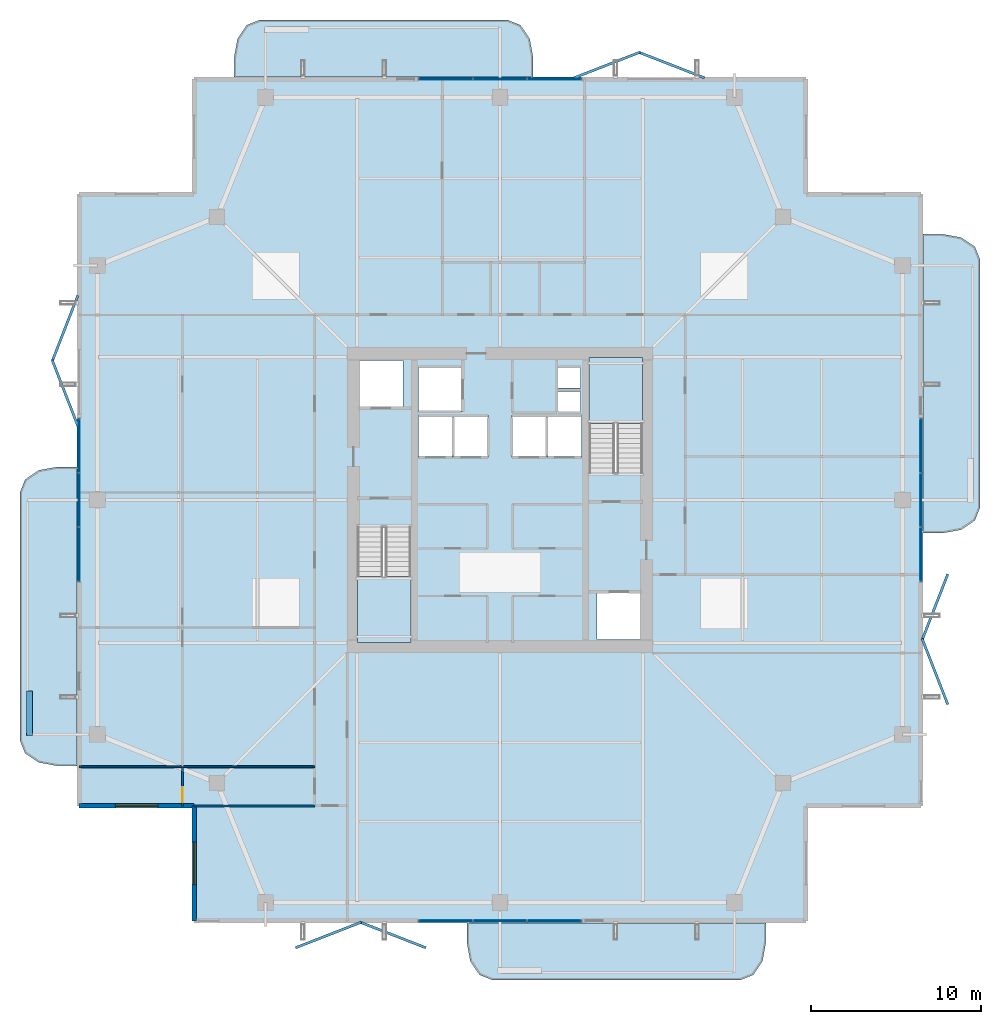
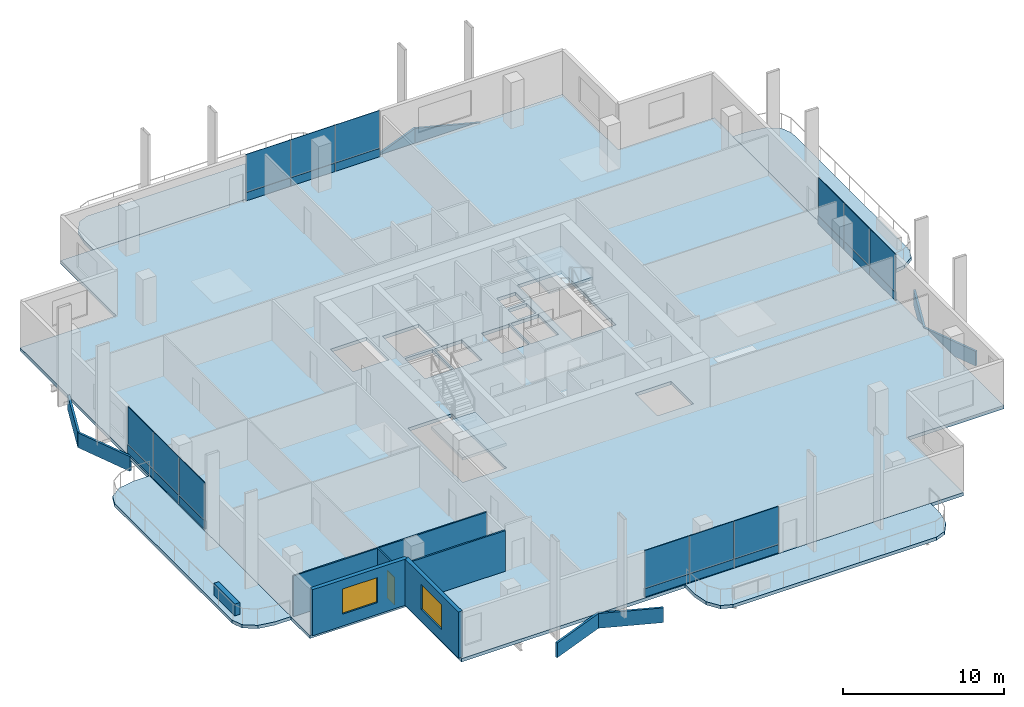
# One storey, part 17 of 25: 32 plates, 7 slabs, 6 walls, 2 windows, 1 door, 3 openings, 6 elements without a shape of their own.
"""IFC4 building model written with IfcOpenShell, lengths in metres."""

from ifc_helpers import new_model, si_unit, direction, frame, frame_2d, origin, origin_2d, place, context, subcontext, project, spatial, polyline, rectangle, outline, extrude, material, layer, layer_set, type_object, element, fill, aggregate, save


model = new_model("IFC4")

# Units and contexts
model_context = context("Model", 3, precision=1e-05, world=origin(), true_north=direction((0.0, 1.0)))
body_context = subcontext(model_context, "Body", "Model", "MODEL_VIEW")
ifc_project = project(units=[si_unit("LENGTHUNIT", "METRE"), si_unit("AREAUNIT", "SQUARE_METRE"), si_unit("VOLUMEUNIT", "CUBIC_METRE"), si_unit("PLANEANGLEUNIT", "RADIAN"), si_unit("MASSUNIT", "GRAM", prefix="KILO")], contexts=[model_context])

# Site, building, storey
site_placement = place(None, origin())
site = spatial("IfcSite", under=ifc_project, at=site_placement, CompositionType="ELEMENT")
building_placement = place(site_placement, origin())
building = spatial("IfcBuilding", under=site, at=building_placement, Name="Belovzor Exchange Tower", CompositionType="ELEMENT")
storey_placement = place(building_placement, frame((0.0, 0.0, 272.85009765625)))
storey = spatial("IfcBuildingStorey", under=building, at=storey_placement, Name="L68", CompositionType="ELEMENT", Elevation=272.85009765625)

# Slab
ifc_material_1 = material(Name="Concrete C40/50", Category="concrete")
ifc_layer_1 = layer(ifc_material_1, 0.25)
ifc_layer_set_1 = layer_set([ifc_layer_1], Name="Concrete C40/50")
slab_type_1 = type_object("IfcSlabType", Name="Composite Concrete Floor Deck Slab 250", PredefinedType="FLOOR", material=ifc_layer_set_1)
slab_1_placement = place(storey_placement, frame((0.0, 0.0, -0.25)))
element("IfcSlab", 1, at=slab_1_placement, inside=storey, type_object=slab_type_1, Name="SL-F250 Structural Slab L68", PredefinedType="FLOOR", context=body_context, shape_type="SweptSolid", body=[
    extrude(outline(polyline([(10.800048828125, 3.89990234375), (46.800048828125, 3.89990234375), (46.800048828125, 10.800048828125), (53.699951171875, 10.800048828125), (53.699951171875, 46.800048828125), (46.800048828125, 46.800048828125), (46.800048828125, 53.699951171875), (10.800048828125, 53.699951171875), (10.800048828125, 46.800048828125), (3.89990234375, 46.800048828125), (3.89990234375, 10.800048828125), (10.800048828125, 10.800048828125), (10.800048828125, 3.89990234375)]), holes=[polyline([(20.39990234375, 27.175048828125), (20.39990234375, 20.39990234375), (23.550048828125, 20.39990234375), (23.550048828125, 27.175048828125), (20.39990234375, 27.175048828125)]), polyline([(37.199951171875, 30.425048828125), (37.199951171875, 37.199951171875), (34.050048828125, 37.199951171875), (34.050048828125, 30.425048828125), (37.199951171875, 30.425048828125)]), polyline([(20.5, 34.199951171875), (23.10009765625, 34.199951171875), (23.10009765625, 37.0), (20.5, 37.0), (20.5, 34.199951171875)]), polyline([(34.5, 20.60009765625), (37.10009765625, 20.60009765625), (37.10009765625, 23.39990234375), (34.5, 23.39990234375), (34.5, 20.60009765625)]), polyline([(24.0, 34.0), (26.60009765625, 34.0), (26.60009765625, 36.60009765625), (24.0, 36.60009765625), (24.0, 34.0)]), polyline([(24.0, 31.300048828125), (26.0, 31.300048828125), (26.0, 33.800048828125), (24.0, 33.800048828125), (24.0, 31.300048828125)]), polyline([(26.10009765625, 31.300048828125), (28.10009765625, 31.300048828125), (28.10009765625, 33.800048828125), (26.10009765625, 33.800048828125), (26.10009765625, 31.300048828125)]), polyline([(29.5, 31.300048828125), (31.5, 31.300048828125), (31.5, 33.800048828125), (29.5, 33.800048828125), (29.5, 31.300048828125)]), polyline([(31.60009765625, 31.300048828125), (33.60009765625, 31.300048828125), (33.60009765625, 33.800048828125), (31.60009765625, 33.800048828125), (31.60009765625, 31.300048828125)]), polyline([(32.199951171875, 34.0), (33.550048828125, 34.0), (33.550048828125, 35.199951171875), (32.199951171875, 35.199951171875), (32.199951171875, 34.0)]), polyline([(32.199951171875, 35.39990234375), (33.550048828125, 35.39990234375), (33.550048828125, 36.60009765625), (32.199951171875, 36.60009765625), (32.199951171875, 35.39990234375)])]), origin(), (0.0, 0.0, 1.0), 0.25),
])

# Curtain wall, plates
ifc_material_2 = material(Name="Anodised Aluminium Framing", Category="aluminium")
ifc_layer_2 = layer(ifc_material_2, 0.179931640625)
ifc_layer_set_2 = layer_set([ifc_layer_2], Name="Anodised Aluminium Framing")
curtain_wall_type = type_object("IfcCurtainWallType", Name="Recessed Loggia Low-Iron Triple-Glazed Curtain Wall", PredefinedType="NOTDEFINED", material=ifc_layer_set_2)
curtain_wall_1_placement = place(storey_placement, origin())
curtain_wall_1 = element("IfcCurtainWall", 2, at=curtain_wall_1_placement, inside=storey, type_object=curtain_wall_type, Name="CW3 Recessed Loggia Low-Iron Triple-Glazed Curtain Wall L68", PredefinedType="NOTDEFINED")
ifc_material_3 = material(Name="Solar-Control Triple Glazing", Category="glass")
ifc_layer_3 = layer(ifc_material_3, 0.0439453125)
ifc_layer_set_3 = layer_set([ifc_layer_3], Name="Solar-Control Triple Glazing")
plate_type_1 = type_object("IfcPlateType", Name="Insulated Solar Glazing Curtain Panel 44", PredefinedType="CURTAIN_PANEL", material=ifc_layer_set_3)
plate_1_placement = place(storey_placement, frame((32.0, 4.030029296875, 0.6318359375), z_axis=(0.0, 0.0, 1.0), x_axis=(-1.0, 0.0, 0.0)))
plate_1 = element("IfcPlate", 3, at=plate_1_placement, type_object=plate_type_1, Name="GLZ-44 Glazed Curtain Panel 1", PredefinedType="CURTAIN_PANEL", context=body_context, shape_type="SweptSolid", body=[
    extrude(rectangle(XDim=3.18408203125, YDim=0.0439453125, at=origin_2d()), origin(), (0.0, 0.0, 1.0), 2.867919921875),
])
plate_2_placement = place(storey_placement, frame((28.800048828125, 4.030029296875, 0.6318359375), z_axis=(0.0, 0.0, 1.0), x_axis=(-1.0, 0.0, 0.0)))
plate_2 = element("IfcPlate", 4, at=plate_2_placement, type_object=plate_type_1, Name="GLZ-44 Glazed Curtain Panel 2", PredefinedType="CURTAIN_PANEL", context=body_context, shape_type="SweptSolid", body=[
    extrude(rectangle(XDim=3.18408203125, YDim=0.0439453125, at=origin_2d()), origin(), (0.0, 0.0, 1.0), 2.867919921875),
])
plate_3_placement = place(storey_placement, frame((25.60009765625, 4.030029296875, 0.6318359375), z_axis=(0.0, 0.0, 1.0), x_axis=(-1.0, 0.0, 0.0)))
plate_3 = element("IfcPlate", 5, at=plate_3_placement, type_object=plate_type_1, Name="GLZ-44 Glazed Curtain Panel 3", PredefinedType="CURTAIN_PANEL", context=body_context, shape_type="SweptSolid", body=[
    extrude(rectangle(XDim=3.18408203125, YDim=0.0439453125, at=origin_2d()), origin(), (0.0, 0.0, 1.0), 2.867919921875),
])

curtain_wall_2_placement = place(storey_placement, origin())
curtain_wall_2 = element("IfcCurtainWall", 6, at=curtain_wall_2_placement, inside=storey, type_object=curtain_wall_type, Name="CW3 Recessed Loggia Low-Iron Triple-Glazed Curtain Wall L68", PredefinedType="NOTDEFINED")
plate_4_placement = place(storey_placement, frame((25.60009765625, 53.570068359375, 0.6318359375), z_axis=(0.0, 0.0, 1.0), x_axis=(1.0, 0.0, 0.0)))
plate_4 = element("IfcPlate", 7, at=plate_4_placement, type_object=plate_type_1, Name="GLZ-44 Glazed Curtain Panel 1", PredefinedType="CURTAIN_PANEL", context=body_context, shape_type="SweptSolid", body=[
    extrude(rectangle(XDim=3.18408203125, YDim=0.0439453125, at=origin_2d()), origin(), (0.0, 0.0, 1.0), 2.867919921875),
])
plate_5_placement = place(storey_placement, frame((28.800048828125, 53.570068359375, 0.6318359375), z_axis=(0.0, 0.0, 1.0), x_axis=(1.0, 0.0, 0.0)))
plate_5 = element("IfcPlate", 8, at=plate_5_placement, type_object=plate_type_1, Name="GLZ-44 Glazed Curtain Panel 2", PredefinedType="CURTAIN_PANEL", context=body_context, shape_type="SweptSolid", body=[
    extrude(rectangle(XDim=3.18408203125, YDim=0.0439453125, at=origin_2d()), origin(), (0.0, 0.0, 1.0), 2.867919921875),
])
plate_6_placement = place(storey_placement, frame((32.0, 53.570068359375, 0.6318359375), z_axis=(0.0, 0.0, 1.0), x_axis=(1.0, 0.0, 0.0)))
plate_6 = element("IfcPlate", 9, at=plate_6_placement, type_object=plate_type_1, Name="GLZ-44 Glazed Curtain Panel 3", PredefinedType="CURTAIN_PANEL", context=body_context, shape_type="SweptSolid", body=[
    extrude(rectangle(XDim=3.18408203125, YDim=0.0439453125, at=origin_2d()), origin(), (0.0, 0.0, 1.0), 2.867919921875),
])

curtain_wall_3_placement = place(storey_placement, origin())
curtain_wall_3 = element("IfcCurtainWall", 10, at=curtain_wall_3_placement, inside=storey, type_object=curtain_wall_type, Name="CW3 Recessed Loggia Low-Iron Triple-Glazed Curtain Wall L68", PredefinedType="NOTDEFINED")
plate_7_placement = place(storey_placement, frame((4.030029296875, 25.60009765625, 0.6318359375), z_axis=(0.0, 0.0, 1.0), x_axis=(0.0, 1.0, 0.0)))
plate_7 = element("IfcPlate", 11, at=plate_7_placement, type_object=plate_type_1, Name="GLZ-44 Glazed Curtain Panel 1", PredefinedType="CURTAIN_PANEL", context=body_context, shape_type="SweptSolid", body=[
    extrude(rectangle(XDim=3.18408203125, YDim=0.0439453125, at=origin_2d()), origin(), (0.0, 0.0, 1.0), 2.867919921875),
])
plate_8_placement = place(storey_placement, frame((4.030029296875, 28.800048828125, 0.6318359375), z_axis=(0.0, 0.0, 1.0), x_axis=(0.0, 1.0, 0.0)))
plate_8 = element("IfcPlate", 12, at=plate_8_placement, type_object=plate_type_1, Name="GLZ-44 Glazed Curtain Panel 2", PredefinedType="CURTAIN_PANEL", context=body_context, shape_type="SweptSolid", body=[
    extrude(rectangle(XDim=3.18408203125, YDim=0.0439453125, at=origin_2d()), origin(), (0.0, 0.0, 1.0), 2.867919921875),
])
plate_9_placement = place(storey_placement, frame((4.030029296875, 32.0, 0.6318359375), z_axis=(0.0, 0.0, 1.0), x_axis=(0.0, 1.0, 0.0)))
plate_9 = element("IfcPlate", 13, at=plate_9_placement, type_object=plate_type_1, Name="GLZ-44 Glazed Curtain Panel 3", PredefinedType="CURTAIN_PANEL", context=body_context, shape_type="SweptSolid", body=[
    extrude(rectangle(XDim=3.18408203125, YDim=0.0439453125, at=origin_2d()), origin(), (0.0, 0.0, 1.0), 2.867919921875),
])

curtain_wall_4_placement = place(storey_placement, origin())
curtain_wall_4 = element("IfcCurtainWall", 14, at=curtain_wall_4_placement, inside=storey, type_object=curtain_wall_type, Name="CW3 Recessed Loggia Low-Iron Triple-Glazed Curtain Wall L68", PredefinedType="NOTDEFINED")
plate_10_placement = place(storey_placement, frame((53.570068359375, 32.0, 0.6318359375), z_axis=(0.0, 0.0, 1.0), x_axis=(0.0, -1.0, 0.0)))
plate_10 = element("IfcPlate", 15, at=plate_10_placement, type_object=plate_type_1, Name="GLZ-44 Glazed Curtain Panel 1", PredefinedType="CURTAIN_PANEL", context=body_context, shape_type="SweptSolid", body=[
    extrude(rectangle(XDim=3.18408203125, YDim=0.0439453125, at=origin_2d()), origin(), (0.0, 0.0, 1.0), 2.867919921875),
])
plate_11_placement = place(storey_placement, frame((53.570068359375, 28.800048828125, 0.6318359375), z_axis=(0.0, 0.0, 1.0), x_axis=(0.0, -1.0, 0.0)))
plate_11 = element("IfcPlate", 16, at=plate_11_placement, type_object=plate_type_1, Name="GLZ-44 Glazed Curtain Panel 2", PredefinedType="CURTAIN_PANEL", context=body_context, shape_type="SweptSolid", body=[
    extrude(rectangle(XDim=3.18408203125, YDim=0.0439453125, at=origin_2d()), origin(), (0.0, 0.0, 1.0), 2.867919921875),
])
plate_12_placement = place(storey_placement, frame((53.570068359375, 25.60009765625, 0.6318359375), z_axis=(0.0, 0.0, 1.0), x_axis=(0.0, -1.0, 0.0)))
plate_12 = element("IfcPlate", 17, at=plate_12_placement, type_object=plate_type_1, Name="GLZ-44 Glazed Curtain Panel 3", PredefinedType="CURTAIN_PANEL", context=body_context, shape_type="SweptSolid", body=[
    extrude(rectangle(XDim=3.18408203125, YDim=0.0439453125, at=origin_2d()), origin(), (0.0, 0.0, 1.0), 2.867919921875),
])

# Stair, slab
ifc_material_4 = material(Name="Concrete C40/50", Category="concrete")
stair_type = type_object("IfcStairType", Name="Reinforced Concrete Dogleg Escape Stair 1350", PredefinedType="HALF_TURN_STAIR", material=ifc_material_4)
stair_1_placement = place(storey_placement, origin())
stair_1 = element("IfcStair", 18, at=stair_1_placement, inside=storey, type_object=stair_type, Name="L68 ST-1", PredefinedType="HALF_TURN_STAIR")
ifc_material_5 = material(Name="Concrete C40/50", Category="concrete")
ifc_layer_4 = layer(ifc_material_5, 0.199951171875)
ifc_layer_set_4 = layer_set([ifc_layer_4], Name="Concrete C40/50")
slab_type_2 = type_object("IfcSlabType", Name="Reinforced Concrete Stair Half-Landing Slab 200", PredefinedType="LANDING", material=ifc_layer_set_4)
slab_2_placement = place(storey_placement, frame((0.0, 0.0, 1.6748046875)))
slab_2 = element("IfcSlab", 19, at=slab_2_placement, type_object=slab_type_2, Name="ST-1 landing 1", PredefinedType="LANDING", context=body_context, shape_type="SweptSolid", body=[
    extrude(outline(polyline([(20.39990234375, 24.300048828125), (20.39990234375, 20.39990234375), (23.550048828125, 20.39990234375), (23.550048828125, 24.300048828125), (20.39990234375, 24.300048828125)])), origin(), (0.0, 0.0, 1.0), 0.2001953125),
])
aggregate(stair_1, [slab_2])

stair_2_placement = place(storey_placement, origin())
stair_2 = element("IfcStair", 20, at=stair_2_placement, inside=storey, type_object=stair_type, Name="L68 ST-2", PredefinedType="HALF_TURN_STAIR")
slab_3_placement = place(storey_placement, frame((0.0, 0.0, 1.6748046875)))
slab_3 = element("IfcSlab", 21, at=slab_3_placement, type_object=slab_type_2, Name="ST-2 landing 1", PredefinedType="LANDING", context=body_context, shape_type="SweptSolid", body=[
    extrude(outline(polyline([(37.199951171875, 33.300048828125), (37.199951171875, 37.199951171875), (34.050048828125, 37.199951171875), (34.050048828125, 33.300048828125), (37.199951171875, 33.300048828125)])), origin(), (0.0, 0.0, 1.0), 0.2001953125),
])
aggregate(stair_2, [slab_3])

# Plate
ifc_material_6 = material(Name="Extruded Architectural Terracotta", Category="masonry")
ifc_layer_5 = layer(ifc_material_6, 0.090087890625)
ifc_layer_set_5 = layer_set([ifc_layer_5], Name="Extruded Architectural Terracotta")
plate_type_2 = type_object("IfcPlateType", Name="Terracotta Shadow-Box Spandrel Panel 90", PredefinedType="CURTAIN_PANEL", material=ifc_layer_set_5)
plate_13_placement = place(storey_placement, frame((32.0, 4.030029296875, 0.0), z_axis=(0.0, 0.0, 1.0), x_axis=(-1.0, 0.0, 0.0)))
plate_13 = element("IfcPlate", 22, at=plate_13_placement, type_object=plate_type_2, Name="SPD-90 Spandrel Panel 1", PredefinedType="CURTAIN_PANEL", context=body_context, shape_type="SweptSolid", body=[
    extrude(rectangle(XDim=3.18408203125, YDim=0.090087890625, at=origin_2d()), origin(), (0.0, 0.0, 1.0), 0.6279296875),
])

plate_14_placement = place(storey_placement, frame((28.800048828125, 4.030029296875, 0.0), z_axis=(0.0, 0.0, 1.0), x_axis=(-1.0, 0.0, 0.0)))
plate_14 = element("IfcPlate", 23, at=plate_14_placement, type_object=plate_type_2, Name="SPD-90 Spandrel Panel 2", PredefinedType="CURTAIN_PANEL", context=body_context, shape_type="SweptSolid", body=[
    extrude(rectangle(XDim=3.18408203125, YDim=0.090087890625, at=origin_2d()), origin(), (0.0, 0.0, 1.0), 0.6279296875),
])

plate_15_placement = place(storey_placement, frame((25.60009765625, 4.030029296875, 0.0), z_axis=(0.0, 0.0, 1.0), x_axis=(-1.0, 0.0, 0.0)))
plate_15 = element("IfcPlate", 24, at=plate_15_placement, type_object=plate_type_2, Name="SPD-90 Spandrel Panel 3", PredefinedType="CURTAIN_PANEL", context=body_context, shape_type="SweptSolid", body=[
    extrude(rectangle(XDim=3.18408203125, YDim=0.090087890625, at=origin_2d()), origin(), (0.0, 0.0, 1.0), 0.6279296875),
])

aggregate(curtain_wall_1, [plate_13, plate_1, plate_14, plate_2, plate_15, plate_3])

plate_16_placement = place(storey_placement, frame((25.60009765625, 53.570068359375, 0.0), z_axis=(0.0, 0.0, 1.0), x_axis=(1.0, 0.0, 0.0)))
plate_16 = element("IfcPlate", 25, at=plate_16_placement, type_object=plate_type_2, Name="SPD-90 Spandrel Panel 1", PredefinedType="CURTAIN_PANEL", context=body_context, shape_type="SweptSolid", body=[
    extrude(rectangle(XDim=3.18408203125, YDim=0.090087890625, at=origin_2d()), origin(), (0.0, 0.0, 1.0), 0.6279296875),
])

plate_17_placement = place(storey_placement, frame((28.800048828125, 53.570068359375, 0.0), z_axis=(0.0, 0.0, 1.0), x_axis=(1.0, 0.0, 0.0)))
plate_17 = element("IfcPlate", 26, at=plate_17_placement, type_object=plate_type_2, Name="SPD-90 Spandrel Panel 2", PredefinedType="CURTAIN_PANEL", context=body_context, shape_type="SweptSolid", body=[
    extrude(rectangle(XDim=3.18408203125, YDim=0.090087890625, at=origin_2d()), origin(), (0.0, 0.0, 1.0), 0.6279296875),
])

plate_18_placement = place(storey_placement, frame((32.0, 53.570068359375, 0.0), z_axis=(0.0, 0.0, 1.0), x_axis=(1.0, 0.0, 0.0)))
plate_18 = element("IfcPlate", 27, at=plate_18_placement, type_object=plate_type_2, Name="SPD-90 Spandrel Panel 3", PredefinedType="CURTAIN_PANEL", context=body_context, shape_type="SweptSolid", body=[
    extrude(rectangle(XDim=3.18408203125, YDim=0.090087890625, at=origin_2d()), origin(), (0.0, 0.0, 1.0), 0.6279296875),
])

aggregate(curtain_wall_2, [plate_16, plate_4, plate_17, plate_5, plate_18, plate_6])

plate_19_placement = place(storey_placement, frame((4.030029296875, 25.60009765625, 0.0), z_axis=(0.0, 0.0, 1.0), x_axis=(0.0, 1.0, 0.0)))
plate_19 = element("IfcPlate", 28, at=plate_19_placement, type_object=plate_type_2, Name="SPD-90 Spandrel Panel 1", PredefinedType="CURTAIN_PANEL", context=body_context, shape_type="SweptSolid", body=[
    extrude(rectangle(XDim=3.18408203125, YDim=0.090087890625, at=origin_2d()), origin(), (0.0, 0.0, 1.0), 0.6279296875),
])

plate_20_placement = place(storey_placement, frame((4.030029296875, 28.800048828125, 0.0), z_axis=(0.0, 0.0, 1.0), x_axis=(0.0, 1.0, 0.0)))
plate_20 = element("IfcPlate", 29, at=plate_20_placement, type_object=plate_type_2, Name="SPD-90 Spandrel Panel 2", PredefinedType="CURTAIN_PANEL", context=body_context, shape_type="SweptSolid", body=[
    extrude(rectangle(XDim=3.18408203125, YDim=0.090087890625, at=origin_2d()), origin(), (0.0, 0.0, 1.0), 0.6279296875),
])

plate_21_placement = place(storey_placement, frame((4.030029296875, 32.0, 0.0), z_axis=(0.0, 0.0, 1.0), x_axis=(0.0, 1.0, 0.0)))
plate_21 = element("IfcPlate", 30, at=plate_21_placement, type_object=plate_type_2, Name="SPD-90 Spandrel Panel 3", PredefinedType="CURTAIN_PANEL", context=body_context, shape_type="SweptSolid", body=[
    extrude(rectangle(XDim=3.18408203125, YDim=0.090087890625, at=origin_2d()), origin(), (0.0, 0.0, 1.0), 0.6279296875),
])

aggregate(curtain_wall_3, [plate_19, plate_7, plate_20, plate_8, plate_21, plate_9])

plate_22_placement = place(storey_placement, frame((53.570068359375, 32.0, 0.0), z_axis=(0.0, 0.0, 1.0), x_axis=(0.0, -1.0, 0.0)))
plate_22 = element("IfcPlate", 31, at=plate_22_placement, type_object=plate_type_2, Name="SPD-90 Spandrel Panel 1", PredefinedType="CURTAIN_PANEL", context=body_context, shape_type="SweptSolid", body=[
    extrude(rectangle(XDim=3.18408203125, YDim=0.090087890625, at=origin_2d()), origin(), (0.0, 0.0, 1.0), 0.6279296875),
])

plate_23_placement = place(storey_placement, frame((53.570068359375, 28.800048828125, 0.0), z_axis=(0.0, 0.0, 1.0), x_axis=(0.0, -1.0, 0.0)))
plate_23 = element("IfcPlate", 32, at=plate_23_placement, type_object=plate_type_2, Name="SPD-90 Spandrel Panel 2", PredefinedType="CURTAIN_PANEL", context=body_context, shape_type="SweptSolid", body=[
    extrude(rectangle(XDim=3.18408203125, YDim=0.090087890625, at=origin_2d()), origin(), (0.0, 0.0, 1.0), 0.6279296875),
])

plate_24_placement = place(storey_placement, frame((53.570068359375, 25.60009765625, 0.0), z_axis=(0.0, 0.0, 1.0), x_axis=(0.0, -1.0, 0.0)))
plate_24 = element("IfcPlate", 33, at=plate_24_placement, type_object=plate_type_2, Name="SPD-90 Spandrel Panel 3", PredefinedType="CURTAIN_PANEL", context=body_context, shape_type="SweptSolid", body=[
    extrude(rectangle(XDim=3.18408203125, YDim=0.090087890625, at=origin_2d()), origin(), (0.0, 0.0, 1.0), 0.6279296875),
])

aggregate(curtain_wall_4, [plate_22, plate_10, plate_23, plate_11, plate_24, plate_12])

# Slabs
ifc_material_7 = material(Name="Concrete C40/50", Category="concrete")
ifc_layer_6 = layer(ifc_material_7, 0.25)
ifc_layer_set_6 = layer_set([ifc_layer_6], Name="Concrete C40/50")
slab_type_3 = type_object("IfcSlabType", Name="Thermally Broken Planted Balcony Slab 250", PredefinedType="FLOOR", material=ifc_layer_set_6)
slab_4_placement = place(storey_placement, frame((0.0, 0.0, -0.25)))
element("IfcSlab", 34, at=slab_4_placement, inside=storey, type_object=slab_type_3, Name="SL-BAL220 Planted Balcony Loggia L68 South", PredefinedType="FLOOR", context=body_context, shape_type="SweptSolid", body=[
    extrude(outline(polyline([(26.85009765625, 3.9150390625), (26.85009765625, 2.75), (27.051025390625, 1.64990234375), (27.60009765625, 0.844970703125), (28.35009765625, 0.550048828125), (42.949951171875, 0.550048828125), (43.699951171875, 0.844970703125), (44.2490234375, 1.64990234375), (44.449951171875, 2.75), (44.449951171875, 3.9150390625), (26.85009765625, 3.9150390625)])), origin(), (0.0, 0.0, 1.0), 0.25),
])
slab_5_placement = place(storey_placement, frame((0.0, 0.0, -0.25)))
element("IfcSlab", 35, at=slab_5_placement, inside=storey, type_object=slab_type_3, Name="SL-BAL220 Planted Balcony Loggia L68 North", PredefinedType="FLOOR", context=body_context, shape_type="SweptSolid", body=[
    extrude(outline(polyline([(30.75, 53.68505859375), (30.75, 54.85009765625), (30.549072265625, 55.949951171875), (30.0, 56.7548828125), (29.25, 57.050048828125), (14.64990234375, 57.050048828125), (13.89990234375, 56.7548828125), (13.35107421875, 55.949951171875), (13.14990234375, 54.85009765625), (13.14990234375, 53.68505859375), (30.75, 53.68505859375)])), origin(), (0.0, 0.0, 1.0), 0.25),
])
slab_6_placement = place(storey_placement, frame((0.0, 0.0, -0.25)))
element("IfcSlab", 36, at=slab_6_placement, inside=storey, type_object=slab_type_3, Name="SL-BAL220 Planted Balcony Loggia L68 East", PredefinedType="FLOOR", context=body_context, shape_type="SweptSolid", body=[
    extrude(outline(polyline([(53.68505859375, 26.85009765625), (54.85009765625, 26.85009765625), (55.949951171875, 27.051025390625), (56.7548828125, 27.60009765625), (57.050048828125, 28.35009765625), (57.050048828125, 42.949951171875), (56.7548828125, 43.699951171875), (55.949951171875, 44.2490234375), (54.85009765625, 44.449951171875), (53.68505859375, 44.449951171875), (53.68505859375, 26.85009765625)])), origin(), (0.0, 0.0, 1.0), 0.25),
])
slab_7_placement = place(storey_placement, frame((0.0, 0.0, -0.25)))
element("IfcSlab", 37, at=slab_7_placement, inside=storey, type_object=slab_type_3, Name="SL-BAL220 Planted Balcony Loggia L68 West", PredefinedType="FLOOR", context=body_context, shape_type="SweptSolid", body=[
    extrude(outline(polyline([(3.9150390625, 30.75), (2.75, 30.75), (1.64990234375, 30.549072265625), (0.844970703125, 30.0), (0.550048828125, 29.25), (0.550048828125, 14.64990234375), (0.844970703125, 13.89990234375), (1.64990234375, 13.35107421875), (2.75, 13.14990234375), (3.9150390625, 13.14990234375), (3.9150390625, 30.75)])), origin(), (0.0, 0.0, 1.0), 0.25),
])

# Plates
ifc_material_8 = material(Name="Extruded Architectural Terracotta", Category="masonry")
ifc_layer_7 = layer(ifc_material_8, 0.14990234375)
ifc_layer_set_7 = layer_set([ifc_layer_7], Name="Extruded Architectural Terracotta")
plate_type_3 = type_object("IfcPlateType", Name="Upper-Crown Deep Folded Zigzag Terracotta Spandrel Louvre 150", PredefinedType="USERDEFINED", material=ifc_layer_set_7)
for number, where, z_axis, x_axis, name in (
    (38, (18.699951171875, 3.199951171875, -1.105224609375), (0.0, 0.0, 1.0), (0.931817969421, 0.362925986758, 0.0), "LVR-ZZ3 Zigzag Terracotta Spandrel Louvre L68 S1A"),
    (39, (22.5, 3.199951171875, -1.105224609375), (0.0, 0.0, 1.0), (0.931817969421, -0.362925986758, 0.0), "LVR-ZZ3 Zigzag Terracotta Spandrel Louvre L68 S1B"),
    (40, (54.39990234375, 18.699951171875, -1.105224609375), (0.0, 0.0, 1.0), (-0.362925986758, 0.931817969421, 0.0), "LVR-ZZ3 Zigzag Terracotta Spandrel Louvre L68 E1A"),
    (41, (54.39990234375, 22.5, -1.105224609375), (0.0, 0.0, 1.0), (0.362925986758, 0.931817969421, 0.0), "LVR-ZZ3 Zigzag Terracotta Spandrel Louvre L68 E1B"),
    (42, (35.10009765625, 54.39990234375, -1.105224609375), (0.0, 0.0, 1.0), (0.931817969421, 0.362925986758, 0.0), "LVR-ZZ3 Zigzag Terracotta Spandrel Louvre L68 N2A"),
    (43, (38.89990234375, 54.39990234375, -1.105224609375), (0.0, 0.0, 1.0), (0.931817969421, -0.362925986758, 0.0), "LVR-ZZ3 Zigzag Terracotta Spandrel Louvre L68 N2B"),
    (44, (3.199951171875, 35.10009765625, -1.105224609375), (0.0, 0.0, 1.0), (-0.362925986758, 0.931817969421, 0.0), "LVR-ZZ3 Zigzag Terracotta Spandrel Louvre L68 W2A"),
    (45, (3.199951171875, 38.89990234375, -1.105224609375), (0.0, 0.0, 1.0), (0.362925986758, 0.931817969421, 0.0), "LVR-ZZ3 Zigzag Terracotta Spandrel Louvre L68 W2B"),
):
    element("IfcPlate", number, at=place(storey_placement, frame(where, z_axis=z_axis, x_axis=x_axis)), inside=storey, type_object=plate_type_3, Name=name, ObjectType="SPANDREL_LOUVRE", PredefinedType="USERDEFINED", context=body_context, shape_type="SweptSolid", body=[
        extrude(rectangle(XDim=4.157958984375, YDim=0.14990234375, at=origin_2d()), origin(), (0.0, 0.0, 1.0), 1.1201171875),
    ])

# Wall
ifc_material_9 = material(Name="Acoustic Plasterboard on Galvanised Studs", Category="gypsum")
ifc_layer_8 = layer(ifc_material_9, 0.1201171875)
ifc_layer_set_8 = layer_set([ifc_layer_8], Name="Acoustic Plasterboard on Galvanised Studs")
wall_type_1 = type_object("IfcWallType", Name="Acoustic Double-Stud Partition Wall 120", PredefinedType="PARTITIONING", material=ifc_layer_set_8)
wall_1_placement = place(storey_placement, frame((10.800048828125, 10.800048828125, 0.0), z_axis=(0.0, 0.0, 1.0), x_axis=(1.0, 0.0, 0.0)))
element("IfcWall", 46, at=wall_1_placement, inside=storey, type_object=wall_type_1, Name="W-P120 Partition Wall W-L68-SWS", PredefinedType="PARTITIONING", context=body_context, shape_type="SweptSolid", body=[
    extrude(rectangle(XDim=7.099853515625, YDim=0.1201171875, at=frame_2d((3.5498046875, 0.0))), origin(), (0.0, 0.0, 1.0), 3.0849609375),
])

# Wall, opening, door
ifc_material_10 = material(Name="Acoustic Laminated Glass and Aluminium", Category="aluminium")
ifc_layer_9 = layer(ifc_material_10, 0.10009765625)
ifc_layer_set_9 = layer_set([ifc_layer_9], Name="Acoustic Laminated Glass and Aluminium")
wall_type_2 = type_object("IfcWallType", Name="Demountable Executive Glass Partition 100", PredefinedType="MOVABLE", material=ifc_layer_set_9)
wall_2_placement = place(storey_placement, frame((10.114990234375, 10.800048828125, 0.0), z_axis=(0.0, 0.0, 1.0), x_axis=(0.0, 1.0, 0.0)))
wall_2 = element("IfcWall", 47, at=wall_2_placement, inside=storey, type_object=wall_type_2, Name="W-M100 Partition Wall W-L68-WHDIV-0", PredefinedType="MOVABLE", context=body_context, shape_type="SweptSolid", body=[
    extrude(rectangle(XDim=2.300048828125, YDim=0.10009765625, at=frame_2d((1.14990234375, 0.0))), origin(), (0.0, 0.0, 1.0), 3.0849609375),
])
opening_1_placement = place(wall_2_placement, frame((0.199951171875, 0.0, 0.0)))
opening_1 = element("IfcOpeningElement", 48, at=opening_1_placement, cuts=wall_2, Name="Opening D-INT-090", PredefinedType="OPENING", context=body_context, shape_type="SweptSolid", body=[
    extrude(rectangle(XDim=0.89990234375, YDim=2.10009765625, at=frame_2d((0.449951171875, 1.050048828125))), frame((0.0, 0.06005859375, 0.0), z_axis=(0.0, -1.0, 0.0), x_axis=(1.0, 0.0, 0.0)), (0.0, 0.0, 1.0), 0.1201171875),
])
ifc_material_11 = material(Name="Veneered Hardwood Acoustic Leaf", Category="wood")
door_type = type_object("IfcDoorType", Name="Trading Suite Acoustic Single Door 900x2100", OperationType="NOTDEFINED", PredefinedType="DOOR", material=ifc_material_11)
door_placement = place(opening_1_placement, origin())
door = element("IfcDoor", 49, at=door_placement, inside=storey, type_object=door_type, Name="D-INT-090 Trading Suite Acoustic Single Door 900x2100", OperationType="SINGLE_SWING_LEFT", OverallHeight=2.10009765625, OverallWidth=0.89990234375, PredefinedType="DOOR", context=body_context, shape_type="SweptSolid", body=[
    extrude(rectangle(XDim=0.89990234375, YDim=2.10009765625, at=frame_2d((0.449951171875, 1.050048828125))), frame((0.0, 0.02490234375, 0.0), z_axis=(0.0, -1.0, 0.0), x_axis=(1.0, 0.0, 0.0)), (0.0, 0.0, 1.0), 0.050048828125),
])
fill(opening_1, door)

# Wall
wall_3_placement = place(storey_placement, frame((4.030029296875, 13.10009765625, 0.0), z_axis=(0.0, 0.0, 1.0), x_axis=(1.0, 0.0, 0.0)))
element("IfcWall", 50, at=wall_3_placement, inside=storey, type_object=wall_type_2, Name="W-M100 Partition Wall W-L68-WDIV-1", PredefinedType="MOVABLE", context=body_context, shape_type="SweptSolid", body=[
    extrude(rectangle(XDim=13.869873046875, YDim=0.10009765625, at=frame_2d((6.93505859375, 0.0))), origin(), (0.0, 0.0, 1.0), 3.0849609375),
])

# Wall, opening, window
ifc_material_12 = material(Name="Precast concrete C40/50", Category="concrete")
ifc_layer_10 = layer(ifc_material_12, 0.280029296875)
ifc_layer_set_10 = layer_set([ifc_layer_10], Name="Precast concrete C40/50")
wall_type_3 = type_object("IfcWallType", Name="Precast Concrete Notched Corner Frame Wall 280", PredefinedType="SOLIDWALL", material=ifc_layer_set_10)
wall_4_placement = place(storey_placement, frame((10.800048828125, 4.030029296875, 0.0), z_axis=(0.0, 0.0, 1.0), x_axis=(0.0, 1.0, 0.0)))
wall_4 = element("IfcWall", 51, at=wall_4_placement, inside=storey, type_object=wall_type_3, Name="W-CRN280 Precast Concrete Notched Corner Frame Wall 280 L68", PredefinedType="SOLIDWALL", context=body_context, shape_type="SweptSolid", body=[
    extrude(rectangle(XDim=6.77001953125, YDim=0.280029296875, at=frame_2d((3.385009765625, 0.0))), origin(), (0.0, 0.0, 1.0), 3.5),
])
opening_2_placement = place(wall_4_placement, frame((2.135009765625, 0.0, 0.89990234375)))
opening_2 = element("IfcOpeningElement", 52, at=opening_2_placement, cuts=wall_4, Name="Opening WN-CRN250", PredefinedType="OPENING", context=body_context, shape_type="SweptSolid", body=[
    extrude(rectangle(XDim=2.5, YDim=1.89990234375, at=frame_2d((1.25, 0.949951171875))), frame((0.0, 0.14990234375, 0.0), z_axis=(0.0, -1.0, 0.0), x_axis=(1.0, 0.0, 0.0)), (0.0, 0.0, 1.0), 0.300048828125),
])
ifc_material_13 = material(Name="Thermally Broken Aluminium and Triple Glazing", Category="aluminium")
window_type = type_object("IfcWindowType", Name="Streamline Moderne Corner Wrap Ribbon Window 2500x1900", PartitioningType="SINGLE_PANEL", PredefinedType="WINDOW", material=ifc_material_13)
window_1_placement = place(opening_2_placement, origin())
window_1 = element("IfcWindow", 53, at=window_1_placement, inside=storey, type_object=window_type, Name="WN-CRN250 Streamline Moderne Corner Wrap Ribbon Window 2500x1900", OverallHeight=1.89990234375, OverallWidth=2.5, PartitioningType="SINGLE_PANEL", PredefinedType="WINDOW", context=body_context, shape_type="SweptSolid", body=[
    extrude(rectangle(XDim=2.5, YDim=1.89990234375, at=frame_2d((1.25, 0.949951171875))), frame((0.0, 0.030029296875, 0.0), z_axis=(0.0, -1.0, 0.0), x_axis=(1.0, 0.0, 0.0)), (0.0, 0.0, 1.0), 0.06005859375),
])
fill(opening_2, window_1)

wall_5_placement = place(storey_placement, frame((10.800048828125, 10.800048828125, 0.0), z_axis=(0.0, 0.0, 1.0), x_axis=(-1.0, 0.0, 0.0)))
wall_5 = element("IfcWall", 54, at=wall_5_placement, inside=storey, type_object=wall_type_3, Name="W-CRN280 Precast Concrete Notched Corner Frame Wall 280 L68", PredefinedType="SOLIDWALL", context=body_context, shape_type="SweptSolid", body=[
    extrude(rectangle(XDim=6.77001953125, YDim=0.280029296875, at=frame_2d((3.385009765625, 0.0))), origin(), (0.0, 0.0, 1.0), 3.5),
])
opening_3_placement = place(wall_5_placement, frame((2.135009765625, 0.0, 0.89990234375)))
opening_3 = element("IfcOpeningElement", 55, at=opening_3_placement, cuts=wall_5, Name="Opening WN-CRN250", PredefinedType="OPENING", context=body_context, shape_type="SweptSolid", body=[
    extrude(rectangle(XDim=2.5, YDim=1.89990234375, at=frame_2d((1.25, 0.949951171875))), frame((0.0, 0.14990234375, 0.0), z_axis=(0.0, -1.0, 0.0), x_axis=(1.0, 0.0, 0.0)), (0.0, 0.0, 1.0), 0.300048828125),
])
window_2_placement = place(opening_3_placement, origin())
window_2 = element("IfcWindow", 56, at=window_2_placement, inside=storey, type_object=window_type, Name="WN-CRN250 Streamline Moderne Corner Wrap Ribbon Window 2500x1900", OverallHeight=1.89990234375, OverallWidth=2.5, PartitioningType="SINGLE_PANEL", PredefinedType="WINDOW", context=body_context, shape_type="SweptSolid", body=[
    extrude(rectangle(XDim=2.5, YDim=1.89990234375, at=frame_2d((1.25, 0.949951171875))), frame((0.0, 0.030029296875, 0.0), z_axis=(0.0, -1.0, 0.0), x_axis=(1.0, 0.0, 0.0)), (0.0, 0.0, 1.0), 0.06005859375),
])
fill(opening_3, window_2)

# Wall
ifc_material_14 = material(Name="Precast concrete C40/50", Category="concrete")
ifc_layer_11 = layer(ifc_material_14, 0.35009765625)
ifc_layer_set_11 = layer_set([ifc_layer_11], Name="Precast concrete C40/50")
wall_type_4 = type_object("IfcWallType", Name="Precast Concrete Structural Tree Planter Trough 350", PredefinedType="PARAPET", material=ifc_layer_set_11)
wall_6_placement = place(storey_placement, frame((1.10009765625, 14.949951171875, 0.0), z_axis=(0.0, 0.0, 1.0), x_axis=(0.0, 1.0, 0.0)))
element("IfcWall", 57, at=wall_6_placement, inside=storey, type_object=wall_type_4, Name="PT-350 Precast Concrete Structural Tree Planter Trough 350 L68", PredefinedType="PARAPET", context=body_context, shape_type="SweptSolid", body=[
    extrude(rectangle(XDim=2.60009765625, YDim=0.35009765625, at=frame_2d((1.300048828125, 0.0))), origin(), (0.0, 0.0, 1.0), 0.89990234375),
])

save(model, "model.ifc")
